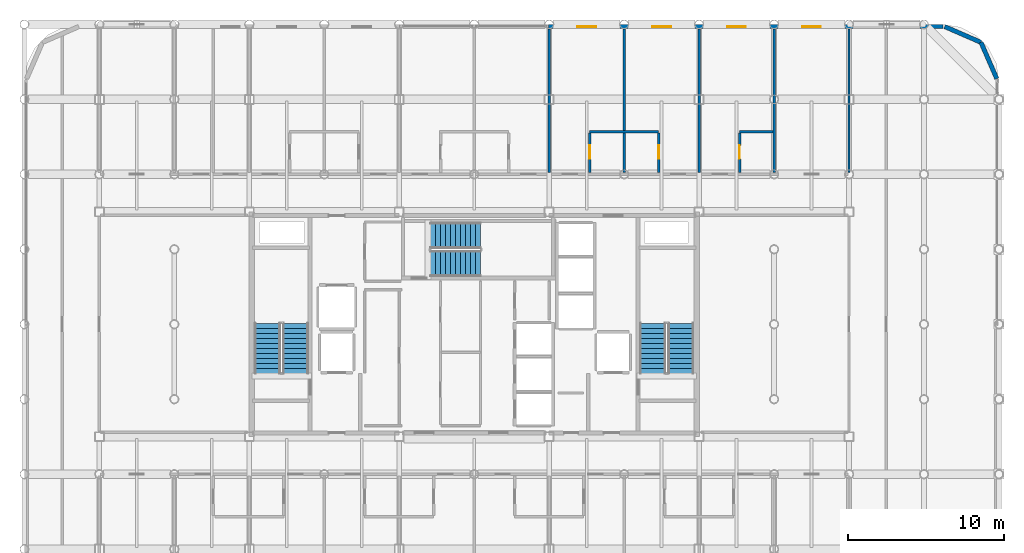
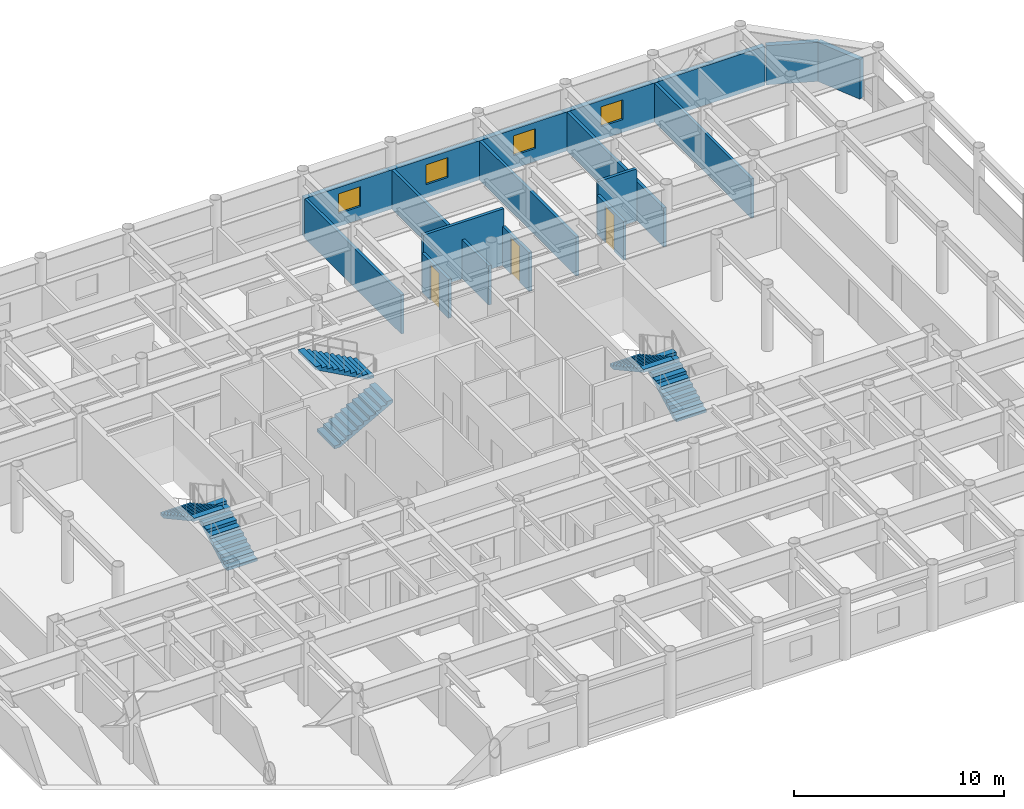
# One storey, part 21 of 22: 13 walls, 6 stair flights, 4 windows, 3 doors, 7 openings, 3 elements without a shape of their own.
"""IFC4 building model written with IfcOpenShell, lengths in metres."""

from ifc_helpers import new_model, si_unit, direction, frame, frame_2d, origin, place, context, subcontext, project, spatial, polyline, rectangle, outline, extrude, material, layer, layer_set, type_object, element, fill, aggregate, save


model = new_model("IFC4")

# Units and contexts
model_context = context("Model", 3, precision=1e-05, world=origin(), true_north=direction((0.0, 1.0)))
body_context = subcontext(model_context, "Body", "Model", "MODEL_VIEW")
ifc_project = project(units=[si_unit("LENGTHUNIT", "METRE"), si_unit("AREAUNIT", "SQUARE_METRE"), si_unit("VOLUMEUNIT", "CUBIC_METRE"), si_unit("PLANEANGLEUNIT", "RADIAN"), si_unit("MASSUNIT", "GRAM", prefix="KILO")], contexts=[model_context])

# Site, building, storey
site_placement = place(None, origin())
site = spatial("IfcSite", under=ifc_project, at=site_placement, CompositionType="ELEMENT")
building_placement = place(site_placement, origin())
building = spatial("IfcBuilding", under=site, at=building_placement, Name="Kallvorn Hotel Tower", CompositionType="ELEMENT")
storey_placement = place(building_placement, frame((0.0, 0.0, 191.5)))
storey = spatial("IfcBuildingStorey", under=building, at=storey_placement, Name="L47", CompositionType="ELEMENT", Elevation=191.5)

# Walls
ifc_material_1 = material(Name="Fire-rated double-layer acoustic gypsum drywall EI 60")
ifc_layer_1 = layer(ifc_material_1, 0.159912109375)
ifc_layer_set_1 = layer_set([ifc_layer_1], Name="WL_DEMISE_160")
wall_type_1 = type_object("IfcWallType", Name="WL_DEMISE_160", PredefinedType="PARTITIONING", material=ifc_layer_set_1)
wall_1_placement = place(storey_placement, frame((7.389892578125, 12.320068359375, 0.0), z_axis=(0.0, 0.0, 1.0), x_axis=(1.0, 0.0, 0.0)))
element("IfcWall", 1, at=wall_1_placement, inside=storey, type_object=wall_type_1, Name="L47 Suite 4713 Standard Twin Room Partition", PredefinedType="PARTITIONING", context=body_context, shape_type="SweptSolid", body=[
    extrude(rectangle(XDim=4.420166015625, YDim=0.159912109375, at=frame_2d((2.2099609375, 0.0))), origin(), (0.0, 0.0, 1.0), 3.27001953125),
])
wall_2_placement = place(storey_placement, frame((16.989990234375, 12.320068359375, 0.0), z_axis=(0.0, 0.0, 1.0), x_axis=(1.0, 0.0, 0.0)))
element("IfcWall", 2, at=wall_2_placement, inside=storey, type_object=wall_type_1, Name="L47 Suite 4715 Standard Twin Room Partition", PredefinedType="PARTITIONING", context=body_context, shape_type="SweptSolid", body=[
    extrude(rectangle(XDim=2.130126953125, YDim=0.159912109375, at=frame_2d((1.06494140625, 0.0))), origin(), (0.0, 0.0, 1.0), 3.02001953125),
])
wall_3_placement = place(storey_placement, frame((4.800048828125, 9.719970703125, 0.0), z_axis=(0.0, 0.0, 1.0), x_axis=(0.0, 1.0, 0.0)))
element("IfcWall", 3, at=wall_3_placement, inside=storey, type_object=wall_type_1, Name="L47 Suite 4712 Standard Twin Room Partition", PredefinedType="PARTITIONING", context=body_context, shape_type="SweptSolid", body=[
    extrude(rectangle(XDim=9.18994140625, YDim=0.159912109375, at=frame_2d((4.594970703125, 0.0))), origin(), (0.0, 0.0, 1.0), 2.27001953125),
])

# Wall, opening, door
wall_4_placement = place(storey_placement, frame((7.389892578125, 9.719970703125, 0.0), z_axis=(0.0, 0.0, 1.0), x_axis=(0.0, 1.0, 0.0)))
wall_4 = element("IfcWall", 4, at=wall_4_placement, inside=storey, type_object=wall_type_1, Name="L47 Suite 4713 Standard Twin Room Partition", PredefinedType="PARTITIONING", context=body_context, shape_type="SweptSolid", body=[
    extrude(rectangle(XDim=2.51513671875, YDim=0.159912109375, at=frame_2d((1.257568359375, 0.0))), origin(), (0.0, 0.0, 1.0), 2.27001953125),
])
opening_1_placement = place(wall_4_placement, frame((0.8701171875, 0.0, 0.0)))
opening_1 = element("IfcOpeningElement", 5, at=opening_1_placement, cuts=wall_4, Name="Opening BD-I", PredefinedType="OPENING", context=body_context, shape_type="SweptSolid", body=[
    extrude(rectangle(XDim=0.860107421875, YDim=2.10009765625, at=frame_2d((0.43017578125, 1.050048828125))), frame((0.0, 0.094970703125, 0.0), z_axis=(0.0, -1.0, 0.0), x_axis=(1.0, 0.0, 0.0)), (0.0, 0.0, 1.0), 0.18994140625),
])
ifc_material_2 = material(Name="Solid-core walnut veneer fire-rated timber door leaf", Category="wood")
door_type = type_object("IfcDoorType", Name="DR_BATH_860x2100", OperationType="NOTDEFINED", PredefinedType="DOOR", material=ifc_material_2)
door_1_placement = place(opening_1_placement, origin())
door_1 = element("IfcDoor", 6, at=door_1_placement, inside=storey, type_object=door_type, Name="L47 Suite 4713 En-Suite Bathroom Door", OperationType="SINGLE_SWING_LEFT", OverallHeight=2.10009765625, OverallWidth=0.860107421875, PredefinedType="DOOR", context=body_context, shape_type="SweptSolid", body=[
    extrude(rectangle(XDim=0.860107421875, YDim=2.10009765625, at=frame_2d((0.43017578125, 1.050048828125))), frame((0.0, 0.02490234375, 0.0), z_axis=(0.0, -1.0, 0.0), x_axis=(1.0, 0.0, 0.0)), (0.0, 0.0, 1.0), 0.050048828125),
])
fill(opening_1, door_1)

# Wall
wall_5_placement = place(storey_placement, frame((9.60009765625, 9.719970703125, 0.0), z_axis=(0.0, 0.0, 1.0), x_axis=(0.0, 1.0, 0.0)))
element("IfcWall", 7, at=wall_5_placement, inside=storey, type_object=wall_type_1, Name="L47 Suite 4713 Standard Twin Room Partition", PredefinedType="PARTITIONING", context=body_context, shape_type="SweptSolid", body=[
    extrude(rectangle(XDim=9.18994140625, YDim=0.159912109375, at=frame_2d((4.594970703125, 0.0))), origin(), (0.0, 0.0, 1.0), 2.27001953125),
])

# Wall, opening, door
wall_6_placement = place(storey_placement, frame((11.81005859375, 9.719970703125, 0.0), z_axis=(0.0, 0.0, 1.0), x_axis=(0.0, 1.0, 0.0)))
wall_6 = element("IfcWall", 8, at=wall_6_placement, inside=storey, type_object=wall_type_1, Name="L47 Suite 4714 Standard Twin Room Partition", PredefinedType="PARTITIONING", context=body_context, shape_type="SweptSolid", body=[
    extrude(rectangle(XDim=2.51513671875, YDim=0.159912109375, at=frame_2d((1.257568359375, 0.0))), origin(), (0.0, 0.0, 1.0), 2.27001953125),
])
opening_2_placement = place(wall_6_placement, frame((0.8701171875, 0.0, 0.0)))
opening_2 = element("IfcOpeningElement", 9, at=opening_2_placement, cuts=wall_6, Name="Opening BD-I", PredefinedType="OPENING", context=body_context, shape_type="SweptSolid", body=[
    extrude(rectangle(XDim=0.860107421875, YDim=2.10009765625, at=frame_2d((0.43017578125, 1.050048828125))), frame((0.0, 0.094970703125, 0.0), z_axis=(0.0, -1.0, 0.0), x_axis=(1.0, 0.0, 0.0)), (0.0, 0.0, 1.0), 0.18994140625),
])
door_2_placement = place(opening_2_placement, origin())
door_2 = element("IfcDoor", 10, at=door_2_placement, inside=storey, type_object=door_type, Name="L47 Suite 4714 En-Suite Bathroom Door", OperationType="SINGLE_SWING_LEFT", OverallHeight=2.10009765625, OverallWidth=0.860107421875, PredefinedType="DOOR", context=body_context, shape_type="SweptSolid", body=[
    extrude(rectangle(XDim=0.860107421875, YDim=2.10009765625, at=frame_2d((0.43017578125, 1.050048828125))), frame((0.0, 0.02490234375, 0.0), z_axis=(0.0, -1.0, 0.0), x_axis=(1.0, 0.0, 0.0)), (0.0, 0.0, 1.0), 0.050048828125),
])
fill(opening_2, door_2)

# Wall
wall_7_placement = place(storey_placement, frame((14.39990234375, 9.719970703125, 0.0), z_axis=(0.0, 0.0, 1.0), x_axis=(0.0, 1.0, 0.0)))
element("IfcWall", 11, at=wall_7_placement, inside=storey, type_object=wall_type_1, Name="L47 Suite 4714 Standard Twin Room Partition", PredefinedType="PARTITIONING", context=body_context, shape_type="SweptSolid", body=[
    extrude(rectangle(XDim=9.18994140625, YDim=0.159912109375, at=frame_2d((4.594970703125, 0.0))), origin(), (0.0, 0.0, 1.0), 2.27001953125),
])

# Wall, opening, door
wall_8_placement = place(storey_placement, frame((16.989990234375, 9.719970703125, 0.0), z_axis=(0.0, 0.0, 1.0), x_axis=(0.0, 1.0, 0.0)))
wall_8 = element("IfcWall", 12, at=wall_8_placement, inside=storey, type_object=wall_type_1, Name="L47 Suite 4715 Standard Twin Room Partition", PredefinedType="PARTITIONING", context=body_context, shape_type="SweptSolid", body=[
    extrude(rectangle(XDim=2.51513671875, YDim=0.159912109375, at=frame_2d((1.257568359375, 0.0))), origin(), (0.0, 0.0, 1.0), 2.27001953125),
])
opening_3_placement = place(wall_8_placement, frame((0.8701171875, 0.0, 0.0)))
opening_3 = element("IfcOpeningElement", 13, at=opening_3_placement, cuts=wall_8, Name="Opening BD-I", PredefinedType="OPENING", context=body_context, shape_type="SweptSolid", body=[
    extrude(rectangle(XDim=0.860107421875, YDim=2.10009765625, at=frame_2d((0.43017578125, 1.050048828125))), frame((0.0, 0.094970703125, 0.0), z_axis=(0.0, -1.0, 0.0), x_axis=(1.0, 0.0, 0.0)), (0.0, 0.0, 1.0), 0.18994140625),
])
door_3_placement = place(opening_3_placement, origin())
door_3 = element("IfcDoor", 14, at=door_3_placement, inside=storey, type_object=door_type, Name="L47 Suite 4715 En-Suite Bathroom Door", OperationType="SINGLE_SWING_LEFT", OverallHeight=2.10009765625, OverallWidth=0.860107421875, PredefinedType="DOOR", context=body_context, shape_type="SweptSolid", body=[
    extrude(rectangle(XDim=0.860107421875, YDim=2.10009765625, at=frame_2d((0.43017578125, 1.050048828125))), frame((0.0, 0.02490234375, 0.0), z_axis=(0.0, -1.0, 0.0), x_axis=(1.0, 0.0, 0.0)), (0.0, 0.0, 1.0), 0.050048828125),
])
fill(opening_3, door_3)

# Walls
wall_9_placement = place(storey_placement, frame((19.199951171875, 9.719970703125, 0.0), z_axis=(0.0, 0.0, 1.0), x_axis=(0.0, 1.0, 0.0)))
element("IfcWall", 15, at=wall_9_placement, inside=storey, type_object=wall_type_1, Name="L47 Suite 4715 Standard Twin Room Partition", PredefinedType="PARTITIONING", context=body_context, shape_type="SweptSolid", body=[
    extrude(rectangle(XDim=9.18994140625, YDim=0.159912109375, at=frame_2d((4.594970703125, 0.0))), origin(), (0.0, 0.0, 1.0), 2.27001953125),
])
ifc_material_3 = material(Name="Precast basalt-clad insulated concrete wall C40/50", Category="masonry")
ifc_layer_2 = layer(ifc_material_3, 0.280029296875)
ifc_layer_set_2 = layer_set([ifc_layer_2], Name="WL_EXT_LOGGIA_280")
wall_type_2 = type_object("IfcWallType", Name="WL_EXT_LOGGIA_280", PredefinedType="SOLIDWALL", material=ifc_layer_set_2)
wall_10_placement = place(storey_placement, frame((33.4580078125, 15.720703125, 0.0), z_axis=(0.0, 0.0, 1.0), x_axis=(-0.398792985289, 0.917040977756, 0.0)))
element("IfcWall", 16, at=wall_10_placement, inside=storey, type_object=wall_type_2, Name="L47 Rounded Corner Exterior Wall NE1", PredefinedType="SOLIDWALL", context=body_context, shape_type="SweptSolid", body=[
    extrude(rectangle(XDim=2.536376953125, YDim=0.280029296875, at=frame_2d((1.26806640625, 0.0))), origin(), (0.0, 0.0, 1.0), 2.27001953125),
])
wall_11_placement = place(storey_placement, frame((32.446533203125, 18.046630859375, 0.0), z_axis=(0.0, 0.0, 1.0), x_axis=(-0.917060872934, 0.398747232384, 0.0)))
element("IfcWall", 17, at=wall_11_placement, inside=storey, type_object=wall_type_2, Name="L47 Rounded Corner Exterior Wall NE2", PredefinedType="SOLIDWALL", context=body_context, shape_type="SweptSolid", body=[
    extrude(rectangle(XDim=2.5361328125, YDim=0.280029296875, at=frame_2d((1.26806640625, 0.0))), origin(), (0.0, 0.0, 1.0), 2.27001953125),
])

# Wall, openings, windows
wall_12_placement = place(storey_placement, frame((4.75, 19.06005859375, 0.0), z_axis=(0.0, 0.0, 1.0), x_axis=(1.0, 0.0, 0.0)))
wall_12 = element("IfcWall", 18, at=wall_12_placement, inside=storey, type_object=wall_type_2, Name="L47 Exterior Envelope Wall EW-L47-NE", PredefinedType="SOLIDWALL", context=body_context, shape_type="SweptSolid", body=[
    extrude(rectangle(XDim=25.25, YDim=0.280029296875, at=frame_2d((12.625, 0.0))), origin(), (0.0, 0.0, 1.0), 2.27001953125),
])
opening_4_placement = place(wall_12_placement, frame((16.25, 0.0, 0.75)))
opening_4 = element("IfcOpeningElement", 19, at=opening_4_placement, cuts=wall_12, Name="Opening W06A", PredefinedType="OPENING", context=body_context, shape_type="SweptSolid", body=[
    extrude(rectangle(XDim=1.199951171875, YDim=1.14990234375, at=frame_2d((0.60009765625, 0.574951171875))), frame((0.0, 0.155029296875, 0.0), z_axis=(0.0, -1.0, 0.0), x_axis=(1.0, 0.0, 0.0)), (0.0, 0.0, 1.0), 0.31005859375),
])
opening_5_placement = place(wall_12_placement, frame((1.85009765625, 0.0, 0.75)))
opening_5 = element("IfcOpeningElement", 20, at=opening_5_placement, cuts=wall_12, Name="Opening W06A", PredefinedType="OPENING", context=body_context, shape_type="SweptSolid", body=[
    extrude(rectangle(XDim=1.199951171875, YDim=1.14990234375, at=frame_2d((0.60009765625, 0.574951171875))), frame((0.0, 0.155029296875, 0.0), z_axis=(0.0, -1.0, 0.0), x_axis=(1.0, 0.0, 0.0)), (0.0, 0.0, 1.0), 0.31005859375),
])
opening_6_placement = place(wall_12_placement, frame((6.64990234375, 0.0, 0.75)))
opening_6 = element("IfcOpeningElement", 21, at=opening_6_placement, cuts=wall_12, Name="Opening W06A", PredefinedType="OPENING", context=body_context, shape_type="SweptSolid", body=[
    extrude(rectangle(XDim=1.199951171875, YDim=1.14990234375, at=frame_2d((0.60009765625, 0.574951171875))), frame((0.0, 0.155029296875, 0.0), z_axis=(0.0, -1.0, 0.0), x_axis=(1.0, 0.0, 0.0)), (0.0, 0.0, 1.0), 0.31005859375),
])
opening_7_placement = place(wall_12_placement, frame((11.449951171875, 0.0, 0.75)))
opening_7 = element("IfcOpeningElement", 22, at=opening_7_placement, cuts=wall_12, Name="Opening W06A", PredefinedType="OPENING", context=body_context, shape_type="SweptSolid", body=[
    extrude(rectangle(XDim=1.199951171875, YDim=1.14990234375, at=frame_2d((0.60009765625, 0.574951171875))), frame((0.0, 0.155029296875, 0.0), z_axis=(0.0, -1.0, 0.0), x_axis=(1.0, 0.0, 0.0)), (0.0, 0.0, 1.0), 0.31005859375),
])
ifc_material_4 = material(Name="Triple-glazed low-e acoustic solar-control dark glass", Category="glass")
window_type = type_object("IfcWindowType", Name="WN_HTL_1200x1150", PartitioningType="SINGLE_PANEL", PredefinedType="WINDOW", material=ifc_material_4)
window_1_placement = place(opening_4_placement, origin())
window_1 = element("IfcWindow", 23, at=window_1_placement, inside=storey, type_object=window_type, Name="L47 Guestroom Exterior Window 02", OverallHeight=1.14990234375, OverallWidth=1.199951171875, PartitioningType="SINGLE_PANEL", PredefinedType="WINDOW", context=body_context, shape_type="SweptSolid", body=[
    extrude(rectangle(XDim=1.199951171875, YDim=1.14990234375, at=frame_2d((0.60009765625, 0.574951171875))), frame((0.0, 0.030029296875, 0.0), z_axis=(0.0, -1.0, 0.0), x_axis=(1.0, 0.0, 0.0)), (0.0, 0.0, 1.0), 0.06005859375),
])
fill(opening_4, window_1)
window_2_placement = place(opening_5_placement, origin())
window_2 = element("IfcWindow", 24, at=window_2_placement, inside=storey, type_object=window_type, Name="L47 Guestroom Exterior Window 12", OverallHeight=1.14990234375, OverallWidth=1.199951171875, PartitioningType="SINGLE_PANEL", PredefinedType="WINDOW", context=body_context, shape_type="SweptSolid", body=[
    extrude(rectangle(XDim=1.199951171875, YDim=1.14990234375, at=frame_2d((0.60009765625, 0.574951171875))), frame((0.0, 0.030029296875, 0.0), z_axis=(0.0, -1.0, 0.0), x_axis=(1.0, 0.0, 0.0)), (0.0, 0.0, 1.0), 0.06005859375),
])
fill(opening_5, window_2)
window_3_placement = place(opening_6_placement, origin())
window_3 = element("IfcWindow", 25, at=window_3_placement, inside=storey, type_object=window_type, Name="L47 Guestroom Exterior Window 13", OverallHeight=1.14990234375, OverallWidth=1.199951171875, PartitioningType="SINGLE_PANEL", PredefinedType="WINDOW", context=body_context, shape_type="SweptSolid", body=[
    extrude(rectangle(XDim=1.199951171875, YDim=1.14990234375, at=frame_2d((0.60009765625, 0.574951171875))), frame((0.0, 0.030029296875, 0.0), z_axis=(0.0, -1.0, 0.0), x_axis=(1.0, 0.0, 0.0)), (0.0, 0.0, 1.0), 0.06005859375),
])
fill(opening_6, window_3)
window_4_placement = place(opening_7_placement, origin())
window_4 = element("IfcWindow", 26, at=window_4_placement, inside=storey, type_object=window_type, Name="L47 Guestroom Exterior Window 14", OverallHeight=1.14990234375, OverallWidth=1.199951171875, PartitioningType="SINGLE_PANEL", PredefinedType="WINDOW", context=body_context, shape_type="SweptSolid", body=[
    extrude(rectangle(XDim=1.199951171875, YDim=1.14990234375, at=frame_2d((0.60009765625, 0.574951171875))), frame((0.0, 0.030029296875, 0.0), z_axis=(0.0, -1.0, 0.0), x_axis=(1.0, 0.0, 0.0)), (0.0, 0.0, 1.0), 0.06005859375),
])
fill(opening_7, window_4)

# Wall
ifc_material_5 = material(Name="Fire-rated double-layer acoustic gypsum drywall EI 60")
ifc_layer_3 = layer(ifc_material_5, 0.14990234375)
ifc_layer_set_3 = layer_set([ifc_layer_3], Name="WL_PART_150")
wall_type_3 = type_object("IfcWallType", Name="WL_PART_150", PredefinedType="PARTITIONING", material=ifc_layer_set_3)
wall_13_placement = place(storey_placement, frame((24.0, 9.719970703125, 0.0), z_axis=(0.0, 0.0, 1.0), x_axis=(0.0, 1.0, 0.0)))
element("IfcWall", 27, at=wall_13_placement, inside=storey, type_object=wall_type_3, Name="L47 L47 High-Zone North-East Pastry Bar Partition", PredefinedType="PARTITIONING", context=body_context, shape_type="SweptSolid", body=[
    extrude(rectangle(XDim=9.18994140625, YDim=0.14990234375, at=frame_2d((4.594970703125, 0.0))), origin(), (0.0, 0.0, 1.0), 2.27001953125),
])

# Stair, stair flights
ifc_material_6 = material(Name="Precast concrete C40/50", Category="concrete")
stair_type = type_object("IfcStairType", Name="STR_CORE_DOGLEG", PredefinedType="HALF_TURN_STAIR", material=ifc_material_6)
stair_1_placement = place(storey_placement, origin())
stair_1 = element("IfcStair", 28, at=stair_1_placement, inside=storey, type_object=stair_type, Name="L47 Exit stair ST1", PredefinedType="HALF_TURN_STAIR")
ifc_material_7 = material(Name="Precast concrete C40/50", Category="concrete")
stair_flight_type = type_object("IfcStairFlightType", Name="FLT_CORE_1660", PredefinedType="STRAIGHT", material=ifc_material_7)
stair_flight_1_placement = place(storey_placement, frame((-11.429931640625, -3.139892578125, 0.0), z_axis=(0.0, 0.0, 1.0), x_axis=(0.0, 1.0, 0.0)))
stair_flight_1 = element("IfcStairFlight", 29, at=stair_flight_1_placement, type_object=stair_flight_type, Name="ST1 flight 1", NumberOfRisers=11, NumberOfTreads=10, PredefinedType="STRAIGHT", RiserHeight=0.175, TreadLength=0.32, context=body_context, shape_type="SweptSolid", body=[
    extrude(outline(polyline([(0.0, 0.0), (0.0, 0.175048828125), (0.320068359375, 0.175048828125), (0.320068359375, 0.35009765625), (0.639892578125, 0.35009765625), (0.639892578125, 0.52490234375), (0.9599609375, 0.52490234375), (0.9599609375, 0.699951171875), (1.280029296875, 0.699951171875), (1.280029296875, 0.875), (1.60009765625, 0.875), (1.60009765625, 1.050048828125), (1.919921875, 1.050048828125), (1.919921875, 1.22509765625), (2.239990234375, 1.22509765625), (2.239990234375, 1.39990234375), (2.56005859375, 1.39990234375), (2.56005859375, 1.574951171875), (2.8798828125, 1.574951171875), (2.8798828125, 1.75), (3.199951171875, 1.75), (3.199951171875, 1.925048828125), (3.199951171875, 1.5791015625), (0.3125, 0.0), (0.0, 0.0)])), frame((0.0, 0.830078125, 0.0), z_axis=(0.0, -1.0, 0.0), x_axis=(1.0, 0.0, 0.0)), (0.0, 0.0, 1.0), 1.659912109375),
])
stair_flight_2_placement = place(storey_placement, frame((-13.22998046875, 0.06005859375, 1.925048828125), z_axis=(0.0, 0.0, 1.0), x_axis=(0.0, -1.0, 0.0)))
stair_flight_2 = element("IfcStairFlight", 30, at=stair_flight_2_placement, type_object=stair_flight_type, Name="ST1 flight 2", NumberOfRisers=11, NumberOfTreads=10, PredefinedType="STRAIGHT", RiserHeight=0.175, TreadLength=0.32, context=body_context, shape_type="SweptSolid", body=[
    extrude(outline(polyline([(0.0, 0.0), (0.0, 0.175048828125), (0.320068359375, 0.175048828125), (0.320068359375, 0.35009765625), (0.639892578125, 0.35009765625), (0.639892578125, 0.52490234375), (0.9599609375, 0.52490234375), (0.9599609375, 0.699951171875), (1.280029296875, 0.699951171875), (1.280029296875, 0.875), (1.60009765625, 0.875), (1.60009765625, 1.050048828125), (1.919921875, 1.050048828125), (1.919921875, 1.22509765625), (2.239990234375, 1.22509765625), (2.239990234375, 1.39990234375), (2.56005859375, 1.39990234375), (2.56005859375, 1.574951171875), (2.8798828125, 1.574951171875), (2.8798828125, 1.75), (3.199951171875, 1.75), (3.199951171875, 1.925048828125), (3.199951171875, 1.5791015625), (0.3125, 0.0), (0.0, 0.0)])), frame((0.0, 0.830078125, 0.0), z_axis=(0.0, -1.0, 0.0), x_axis=(1.0, 0.0, 0.0)), (0.0, 0.0, 1.0), 1.659912109375),
])
aggregate(stair_1, [stair_flight_1, stair_flight_2])

stair_2_placement = place(storey_placement, origin())
stair_2 = element("IfcStair", 31, at=stair_2_placement, inside=storey, type_object=stair_type, Name="L47 Exit stair ST2", PredefinedType="HALF_TURN_STAIR")
stair_flight_3_placement = place(storey_placement, frame((13.22998046875, -3.139892578125, 0.0), z_axis=(0.0, 0.0, 1.0), x_axis=(0.0, 1.0, 0.0)))
stair_flight_3 = element("IfcStairFlight", 32, at=stair_flight_3_placement, type_object=stair_flight_type, Name="ST2 flight 1", NumberOfRisers=11, NumberOfTreads=10, PredefinedType="STRAIGHT", RiserHeight=0.175, TreadLength=0.32, context=body_context, shape_type="SweptSolid", body=[
    extrude(outline(polyline([(0.0, 0.0), (0.0, 0.175048828125), (0.320068359375, 0.175048828125), (0.320068359375, 0.35009765625), (0.639892578125, 0.35009765625), (0.639892578125, 0.52490234375), (0.9599609375, 0.52490234375), (0.9599609375, 0.699951171875), (1.280029296875, 0.699951171875), (1.280029296875, 0.875), (1.60009765625, 0.875), (1.60009765625, 1.050048828125), (1.919921875, 1.050048828125), (1.919921875, 1.22509765625), (2.239990234375, 1.22509765625), (2.239990234375, 1.39990234375), (2.56005859375, 1.39990234375), (2.56005859375, 1.574951171875), (2.8798828125, 1.574951171875), (2.8798828125, 1.75), (3.199951171875, 1.75), (3.199951171875, 1.925048828125), (3.199951171875, 1.5791015625), (0.3125, 0.0), (0.0, 0.0)])), frame((0.0, 0.830078125, 0.0), z_axis=(0.0, -1.0, 0.0), x_axis=(1.0, 0.0, 0.0)), (0.0, 0.0, 1.0), 1.659912109375),
])
stair_flight_4_placement = place(storey_placement, frame((11.429931640625, 0.06005859375, 1.925048828125), z_axis=(0.0, 0.0, 1.0), x_axis=(0.0, -1.0, 0.0)))
stair_flight_4 = element("IfcStairFlight", 33, at=stair_flight_4_placement, type_object=stair_flight_type, Name="ST2 flight 2", NumberOfRisers=11, NumberOfTreads=10, PredefinedType="STRAIGHT", RiserHeight=0.175, TreadLength=0.32, context=body_context, shape_type="SweptSolid", body=[
    extrude(outline(polyline([(0.0, 0.0), (0.0, 0.175048828125), (0.320068359375, 0.175048828125), (0.320068359375, 0.35009765625), (0.639892578125, 0.35009765625), (0.639892578125, 0.52490234375), (0.9599609375, 0.52490234375), (0.9599609375, 0.699951171875), (1.280029296875, 0.699951171875), (1.280029296875, 0.875), (1.60009765625, 0.875), (1.60009765625, 1.050048828125), (1.919921875, 1.050048828125), (1.919921875, 1.22509765625), (2.239990234375, 1.22509765625), (2.239990234375, 1.39990234375), (2.56005859375, 1.39990234375), (2.56005859375, 1.574951171875), (2.8798828125, 1.574951171875), (2.8798828125, 1.75), (3.199951171875, 1.75), (3.199951171875, 1.925048828125), (3.199951171875, 1.5791015625), (0.3125, 0.0), (0.0, 0.0)])), frame((0.0, 0.830078125, 0.0), z_axis=(0.0, -1.0, 0.0), x_axis=(1.0, 0.0, 0.0)), (0.0, 0.0, 1.0), 1.659912109375),
])
aggregate(stair_2, [stair_flight_3, stair_flight_4])

stair_3_placement = place(storey_placement, origin())
stair_3 = element("IfcStair", 34, at=stair_3_placement, inside=storey, type_object=stair_type, Name="L47 Exit stair ST3", PredefinedType="HALF_TURN_STAIR")
stair_flight_5_placement = place(storey_placement, frame((-2.7900390625, 3.8798828125, 0.0), z_axis=(0.0, 0.0, 1.0), x_axis=(1.0, 0.0, 0.0)))
stair_flight_5 = element("IfcStairFlight", 35, at=stair_flight_5_placement, type_object=stair_flight_type, Name="ST3 flight 1", NumberOfRisers=11, NumberOfTreads=10, PredefinedType="STRAIGHT", RiserHeight=0.175, TreadLength=0.32, context=body_context, shape_type="SweptSolid", body=[
    extrude(outline(polyline([(0.0, 0.0), (0.0, 0.175048828125), (0.320068359375, 0.175048828125), (0.320068359375, 0.35009765625), (0.639892578125, 0.35009765625), (0.639892578125, 0.52490234375), (0.9599609375, 0.52490234375), (0.9599609375, 0.699951171875), (1.280029296875, 0.699951171875), (1.280029296875, 0.875), (1.60009765625, 0.875), (1.60009765625, 1.050048828125), (1.919921875, 1.050048828125), (1.919921875, 1.22509765625), (2.239990234375, 1.22509765625), (2.239990234375, 1.39990234375), (2.56005859375, 1.39990234375), (2.56005859375, 1.574951171875), (2.8798828125, 1.574951171875), (2.8798828125, 1.75), (3.199951171875, 1.75), (3.199951171875, 1.925048828125), (3.199951171875, 1.5791015625), (0.3125, 0.0), (0.0, 0.0)])), frame((0.0, 0.830078125, 0.0), z_axis=(0.0, -1.0, 0.0), x_axis=(1.0, 0.0, 0.0)), (0.0, 0.0, 1.0), 1.659912109375),
])
stair_flight_6_placement = place(storey_placement, frame((0.409912109375, 5.679931640625, 1.925048828125), z_axis=(0.0, 0.0, 1.0), x_axis=(-1.0, 0.0, 0.0)))
stair_flight_6 = element("IfcStairFlight", 36, at=stair_flight_6_placement, type_object=stair_flight_type, Name="ST3 flight 2", NumberOfRisers=11, NumberOfTreads=10, PredefinedType="STRAIGHT", RiserHeight=0.175, TreadLength=0.32, context=body_context, shape_type="SweptSolid", body=[
    extrude(outline(polyline([(0.0, 0.0), (0.0, 0.175048828125), (0.320068359375, 0.175048828125), (0.320068359375, 0.35009765625), (0.639892578125, 0.35009765625), (0.639892578125, 0.52490234375), (0.9599609375, 0.52490234375), (0.9599609375, 0.699951171875), (1.280029296875, 0.699951171875), (1.280029296875, 0.875), (1.60009765625, 0.875), (1.60009765625, 1.050048828125), (1.919921875, 1.050048828125), (1.919921875, 1.22509765625), (2.239990234375, 1.22509765625), (2.239990234375, 1.39990234375), (2.56005859375, 1.39990234375), (2.56005859375, 1.574951171875), (2.8798828125, 1.574951171875), (2.8798828125, 1.75), (3.199951171875, 1.75), (3.199951171875, 1.925048828125), (3.199951171875, 1.5791015625), (0.3125, 0.0), (0.0, 0.0)])), frame((0.0, 0.830078125, 0.0), z_axis=(0.0, -1.0, 0.0), x_axis=(1.0, 0.0, 0.0)), (0.0, 0.0, 1.0), 1.659912109375),
])
aggregate(stair_3, [stair_flight_5, stair_flight_6])

save(model, "model.ifc")
